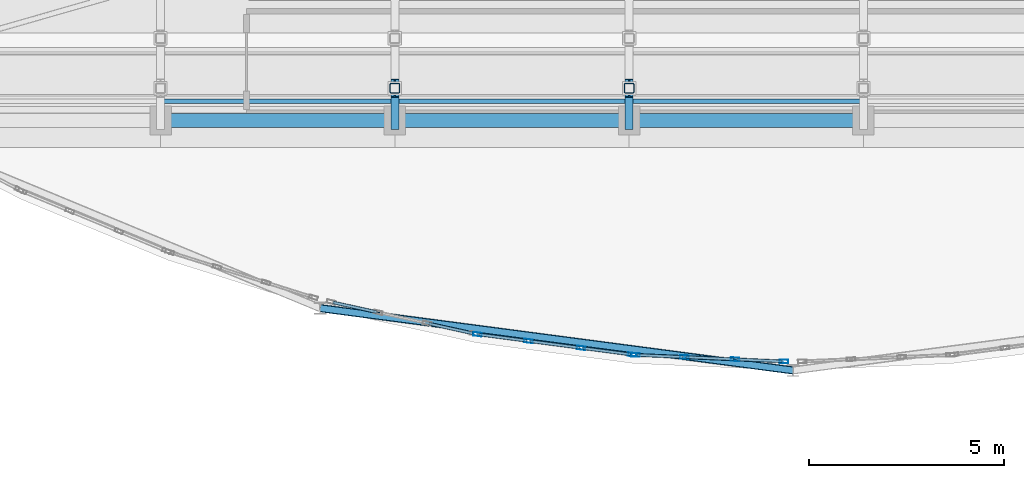
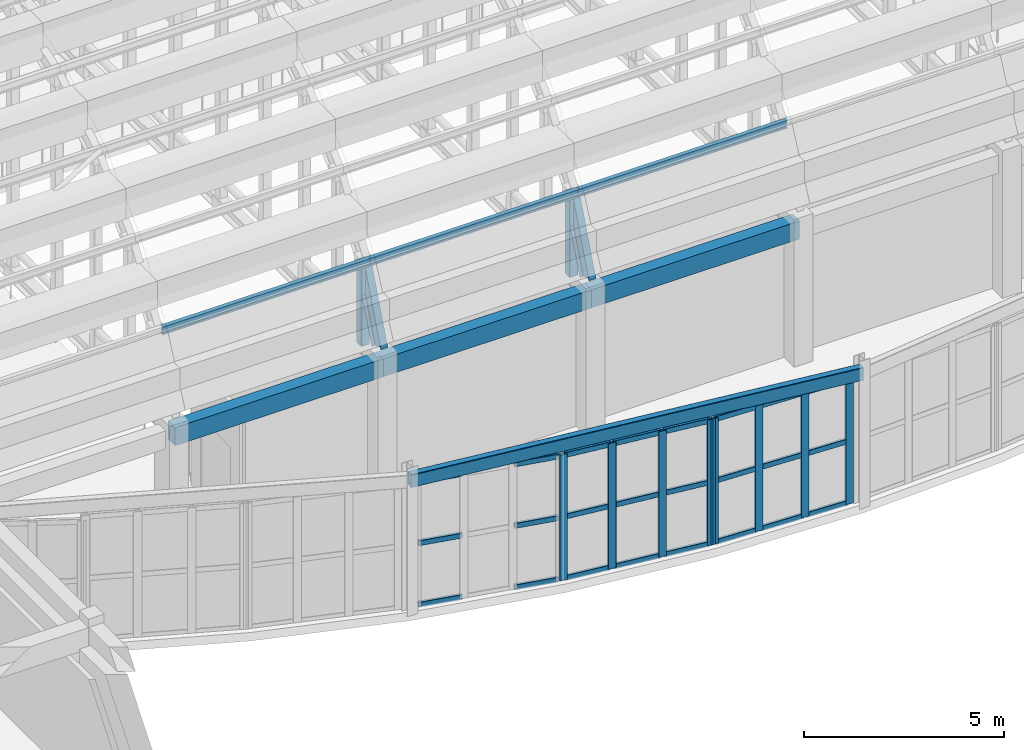
# One storey, part 7 of 91: 37 members, 6 beams, 3 elements without a shape of their own.
"""IFC4 building model written with IfcOpenShell, lengths in metres."""

from ifc_helpers import new_model, si_unit, direction, frame, origin, origin_2d, place, context, subcontext, project, spatial, rectangle, hollow_rectangle, i_section, extrude, material, layer, layer_set, material_profile, profile_set, type_object, element, aggregate, save


model = new_model("IFC4")

# Units and contexts
model_context = context("Model", 3, precision=1e-05, world=origin(), true_north=direction((0.0, 1.0)))
body_context = subcontext(model_context, "Body", "Model", "MODEL_VIEW")
ifc_project = project(units=[si_unit("LENGTHUNIT", "METRE"), si_unit("AREAUNIT", "SQUARE_METRE"), si_unit("VOLUMEUNIT", "CUBIC_METRE"), si_unit("PLANEANGLEUNIT", "RADIAN"), si_unit("MASSUNIT", "GRAM", prefix="KILO")], contexts=[model_context])

# Site, building, storey
site_placement = place(None, origin())
site = spatial("IfcSite", under=ifc_project, at=site_placement, CompositionType="ELEMENT")
building_placement = place(site_placement, origin())
building = spatial("IfcBuilding", under=site, at=building_placement, Name="Tarnavel Promenade Courthouse", CompositionType="ELEMENT")
storey_placement = place(building_placement, frame((0.0, 0.0, 9.89990234375)))
storey = spatial("IfcBuildingStorey", under=building, at=storey_placement, Name="L03", CompositionType="ELEMENT", Elevation=9.89990234375)

# Beams
ifc_material_1 = material(Name="Concrete C40/50", Category="concrete")
ifc_material_profile_1 = material_profile(ifc_material_1, rectangle(XDim=0.35009765625, YDim=0.550048828125, at=origin_2d()), Name="RC 350x550")
ifc_profile_set_1 = profile_set([ifc_material_profile_1], Name="Concrete C40/50")
beam_type_1 = type_object("IfcBeamType", Name="Concrete C40/50 BM-RC-350x550 (RC 350x550)", PredefinedType="BEAM", material=ifc_profile_set_1)
for number, where, z_axis, x_axis, name in (
    (1, (15.60009765625, 14.800048828125, 3.97021484375), (1.0, 0.0, 0.0), (0.0, 1.0, 0.0), "L03 Primary Longitudinal Beam 1534"),
    (2, (21.60009765625, 14.800048828125, 3.97021484375), (1.0, 0.0, 0.0), (0.0, 1.0, 0.0), "L03 Primary Longitudinal Beam 1535"),
    (3, (27.60009765625, 14.800048828125, 3.97021484375), (1.0, 0.0, 0.0), (0.0, 1.0, 0.0), "L03 Primary Longitudinal Beam 1536"),
):
    element("IfcBeam", number, at=place(storey_placement, frame(where, z_axis=z_axis, x_axis=x_axis)), inside=storey, type_object=beam_type_1, Name=name, PredefinedType="BEAM", context=body_context, shape_type="SweptSolid", body=[
        extrude(rectangle(XDim=0.35009765625, YDim=0.550048828125, at=origin_2d()), origin(), (0.0, 0.0, 1.0), 6.0),
    ])
ifc_material_2 = material(Name="Steel S355J2", Category="steel")
ifc_material_profile_2 = material_profile(ifc_material_2, i_section(OverallWidth=0.199951171875, OverallDepth=0.5, WebThickness=0.01025390625, FlangeThickness=0.01611328125, FilletRadius=0.02099609375, at=origin_2d()), Name="IPE 500")
ifc_profile_set_2 = profile_set([ifc_material_profile_2], Name="Steel S355J2")
beam_type_2 = type_object("IfcBeamType", Name="Steel S355J2 BM-AR-IPE500 (IPE 500)", PredefinedType="T_BEAM", material=ifc_profile_set_2)
for number, where, z_axis, x_axis, name in (
    (4, (21.60009765625, 14.800048828125, 4.5), (0.0, 0.359973594692, 0.93296249181), (-1.0, 0.0, 0.0), "V4 Barrel Vault Arch Rib 03 Chord 01"),
    (5, (27.60009765625, 14.800048828125, 4.5), (0.0, 0.359973594692, 0.93296249181), (-1.0, 0.0, 0.0), "V4 Barrel Vault Arch Rib 04 Chord 01"),
):
    element("IfcBeam", number, at=place(storey_placement, frame(where, z_axis=z_axis, x_axis=x_axis)), inside=storey, type_object=beam_type_2, Name=name, PredefinedType="T_BEAM", context=body_context, shape_type="SweptSolid", body=[
        extrude(i_section(OverallWidth=0.199951171875, OverallDepth=0.5, WebThickness=0.01025390625, FlangeThickness=0.01611328125, FilletRadius=0.02099609375, at=origin_2d()), origin(), (0.0, 0.0, 1.0), 2.302490234375),
    ])
ifc_material_profile_3 = material_profile(ifc_material_2, hollow_rectangle(XDim=0.199951171875, YDim=0.39990234375, WallThickness=0.01416015625, InnerFilletRadius=0.013916015625, OuterFilletRadius=0.028076171875, at=origin_2d()), Name="RHS 400x200x14.2")
ifc_profile_set_3 = profile_set([ifc_material_profile_3], Name="Steel S355J2")
beam_type_3 = type_object("IfcBeamType", Name="Steel S355J2 BM-ST-RHS400 (RHS 400x200x14.2)", PredefinedType="SPANDREL", material=ifc_profile_set_3)
beam_placement = place(storey_placement, frame((19.687255859375, 9.99462890625, 4.045166015625), z_axis=(0.991444362306, -0.13052998296, 0.0), x_axis=(0.13052998296, 0.991444362306, 0.0)))
element("IfcBeam", 6, at=beam_placement, inside=storey, type_object=beam_type_3, Name="L03 Public Drum Ring Beam 1977", PredefinedType="SPANDREL", context=body_context, shape_type="SweptSolid", body=[
    extrude(hollow_rectangle(XDim=0.199951171875, YDim=0.39990234375, WallThickness=0.01416015625, InnerFilletRadius=0.013916015625, OuterFilletRadius=0.028076171875, at=origin_2d()), origin(), (0.0, 0.0, 1.0), 12.21728515625),
])

# Members
ifc_material_profile_4 = material_profile(ifc_material_2, i_section(OverallWidth=0.1201171875, OverallDepth=0.239990234375, WebThickness=0.006103515625, FlangeThickness=0.009765625, FilletRadius=0.014892578125, at=origin_2d()), Name="IPE 240")
ifc_profile_set_4 = profile_set([ifc_material_profile_4], Name="Steel S355J2")
member_type_1 = type_object("IfcMemberType", Name="Steel S355J2 MEM-PUR-IPE240 (IPE 240)", PredefinedType="PURLIN", material=ifc_profile_set_4)
for number, where, z_axis, x_axis, name in (
    (7, (15.60009765625, 15.291259765625, 6.822998046875), (1.0, 0.0, 0.0), (0.0, 1.0, 0.0), "V4 Barrel Vault Purlin 02-01"),
    (8, (21.60009765625, 15.291259765625, 6.822998046875), (1.0, 0.0, 0.0), (0.0, 1.0, 0.0), "V4 Barrel Vault Purlin 03-01"),
    (9, (27.60009765625, 15.291259765625, 6.822998046875), (1.0, 0.0, 0.0), (0.0, 1.0, 0.0), "V4 Barrel Vault Purlin 04-01"),
):
    element("IfcMember", number, at=place(storey_placement, frame(where, z_axis=z_axis, x_axis=x_axis)), inside=storey, type_object=member_type_1, Name=name, PredefinedType="PURLIN", context=body_context, shape_type="SweptSolid", body=[
        extrude(i_section(OverallWidth=0.1201171875, OverallDepth=0.239990234375, WebThickness=0.006103515625, FlangeThickness=0.009765625, FilletRadius=0.014892578125, at=origin_2d()), origin(), (0.0, 0.0, 1.0), 6.0),
    ])
ifc_material_profile_5 = material_profile(ifc_material_2, hollow_rectangle(XDim=0.25, YDim=0.25, WallThickness=0.012451171875, InnerFilletRadius=0.012451171875, OuterFilletRadius=0.02490234375, at=origin_2d()), Name="SHS 250x250x12.5")
ifc_profile_set_5 = profile_set([ifc_material_profile_5], Name="Steel S355J2")
member_type_2 = type_object("IfcMemberType", Name="Steel S355J2 MEM-STR-SHS250 (SHS 250x250x12.5)", PredefinedType="STRUT", material=ifc_profile_set_5)
for number, where, z_axis, x_axis, name in (
    (10, (21.60009765625, 15.62890625, 4.1201171875), (0.0, 0.0, 1.0), (1.0, 0.0, 0.0), "V4 Vault Arch Web Strut 03-01"),
    (11, (27.60009765625, 15.62890625, 4.1201171875), (0.0, 0.0, 1.0), (1.0, 0.0, 0.0), "V4 Vault Arch Web Strut 04-01"),
):
    element("IfcMember", number, at=place(storey_placement, frame(where, z_axis=z_axis, x_axis=x_axis)), inside=storey, type_object=member_type_2, Name=name, PredefinedType="STRUT", context=body_context, shape_type="SweptSolid", body=[
        extrude(hollow_rectangle(XDim=0.25, YDim=0.25, WallThickness=0.012451171875, InnerFilletRadius=0.012451171875, OuterFilletRadius=0.02490234375, at=origin_2d()), origin(), (0.0, 0.0, 1.0), 2.528076171875),
    ])

# Curtain wall, members
ifc_material_3 = material(Name="Thermally Broken Anodised Aluminium Curtain Wall System", Category="aluminium")
ifc_layer = layer(ifc_material_3, 0.219970703125)
ifc_layer_set = layer_set([ifc_layer], Name="Thermally Broken Anodised Aluminium Curtain Wall System")
curtain_wall_type = type_object("IfcCurtainWallType", Name="Thermally Broken Aluminium Triple-Glazed Curtain Wall CW-DRUM", PredefinedType="NOTDEFINED", material=ifc_layer_set)
curtain_wall_1_placement = place(storey_placement, origin())
curtain_wall_1 = element("IfcCurtainWall", 12, at=curtain_wall_1_placement, inside=storey, type_object=curtain_wall_type, Name="L03 Public Hall Drum Curtain Wall 031", PredefinedType="NOTDEFINED")
ifc_material_4 = material(Name="Thermally Broken Anodised Aluminium Frame", Category="aluminium")
ifc_material_profile_6 = material_profile(ifc_material_4, hollow_rectangle(XDim=0.090087890625, YDim=0.219970703125, WallThickness=0.0048828125, InnerFilletRadius=0.0048828125, OuterFilletRadius=0.010009765625, at=origin_2d()), Name="CWM 220x90x5")
ifc_profile_set_6 = profile_set([ifc_material_profile_6], Name="Thermally Broken Anodised Aluminium Frame")
member_type_3 = type_object("IfcMemberType", Name="Thermally Broken Anodised Aluminium CWM-175 (CWM 220x90x5)", PredefinedType="MULLION", material=ifc_profile_set_6)
member_1_placement = place(storey_placement, frame((23.7177734375, 9.3251953125, 0.0), z_axis=(0.0, 0.0, 1.0), x_axis=(0.130526614558, 0.991444805772, 0.0)))
member_1 = element("IfcMember", 13, at=member_1_placement, type_object=member_type_3, Name="CW-01 mullion 1", PredefinedType="MULLION", context=body_context, shape_type="SweptSolid", body=[
    extrude(hollow_rectangle(XDim=0.090087890625, YDim=0.219970703125, WallThickness=0.0048828125, InnerFilletRadius=0.0048828125, OuterFilletRadius=0.010009765625, at=origin_2d()), origin(), (0.0, 0.0, 1.0), 3.830078125),
])
member_2_placement = place(storey_placement, frame((25.0224609375, 9.1533203125, 0.0), z_axis=(0.0, 0.0, 1.0), x_axis=(0.130526614558, 0.991444805772, 0.0)))
member_2 = element("IfcMember", 14, at=member_2_placement, type_object=member_type_3, Name="CW-01 mullion 2", PredefinedType="MULLION", context=body_context, shape_type="SweptSolid", body=[
    extrude(hollow_rectangle(XDim=0.090087890625, YDim=0.219970703125, WallThickness=0.0048828125, InnerFilletRadius=0.0048828125, OuterFilletRadius=0.010009765625, at=origin_2d()), origin(), (0.0, 0.0, 1.0), 3.830078125),
])
member_3_placement = place(storey_placement, frame((26.371826171875, 8.975830078125, 0.0), z_axis=(0.0, 0.0, 1.0), x_axis=(0.130526614558, 0.991444805772, 0.0)))
member_3 = element("IfcMember", 15, at=member_3_placement, type_object=member_type_3, Name="CW-01 mullion 3", PredefinedType="MULLION", context=body_context, shape_type="SweptSolid", body=[
    extrude(hollow_rectangle(XDim=0.090087890625, YDim=0.219970703125, WallThickness=0.0048828125, InnerFilletRadius=0.0048828125, OuterFilletRadius=0.010009765625, at=origin_2d()), origin(), (0.0, 0.0, 1.0), 3.830078125),
])
member_4_placement = place(storey_placement, frame((27.676513671875, 8.803955078125, 0.0), z_axis=(0.0, 0.0, 1.0), x_axis=(0.130526614558, 0.991444805772, 0.0)))
member_4 = element("IfcMember", 16, at=member_4_placement, type_object=member_type_3, Name="CW-01 mullion 4", PredefinedType="MULLION", context=body_context, shape_type="SweptSolid", body=[
    extrude(hollow_rectangle(XDim=0.090087890625, YDim=0.219970703125, WallThickness=0.0048828125, InnerFilletRadius=0.0048828125, OuterFilletRadius=0.010009765625, at=origin_2d()), origin(), (0.0, 0.0, 1.0), 3.830078125),
])

curtain_wall_2_placement = place(storey_placement, origin())
curtain_wall_2 = element("IfcCurtainWall", 17, at=curtain_wall_2_placement, inside=storey, type_object=curtain_wall_type, Name="L03 Public Hall Drum Curtain Wall 032", PredefinedType="NOTDEFINED")
member_5_placement = place(storey_placement, frame((27.76611328125, 8.796142578125, 0.0), z_axis=(0.0, 0.0, 1.0), x_axis=(0.04361861839, 0.999048255156, 0.0)))
member_5 = element("IfcMember", 18, at=member_5_placement, type_object=member_type_3, Name="CW-01 mullion 1", PredefinedType="MULLION", context=body_context, shape_type="SweptSolid", body=[
    extrude(hollow_rectangle(XDim=0.090087890625, YDim=0.219970703125, WallThickness=0.0048828125, InnerFilletRadius=0.0048828125, OuterFilletRadius=0.010009765625, at=origin_2d()), origin(), (0.0, 0.0, 1.0), 3.830078125),
])
member_6_placement = place(storey_placement, frame((29.017333984375, 8.741455078125, 0.0), z_axis=(0.0, 0.0, 1.0), x_axis=(0.04361861839, 0.999048255156, 0.0)))
member_6 = element("IfcMember", 19, at=member_6_placement, type_object=member_type_3, Name="CW-01 mullion 2", PredefinedType="MULLION", context=body_context, shape_type="SweptSolid", body=[
    extrude(hollow_rectangle(XDim=0.090087890625, YDim=0.219970703125, WallThickness=0.0048828125, InnerFilletRadius=0.0048828125, OuterFilletRadius=0.010009765625, at=origin_2d()), origin(), (0.0, 0.0, 1.0), 3.830078125),
])
member_7_placement = place(storey_placement, frame((30.3134765625, 8.684814453125, 0.0), z_axis=(0.0, 0.0, 1.0), x_axis=(0.04361861839, 0.999048255156, 0.0)))
member_7 = element("IfcMember", 20, at=member_7_placement, type_object=member_type_3, Name="CW-01 mullion 3", PredefinedType="MULLION", context=body_context, shape_type="SweptSolid", body=[
    extrude(hollow_rectangle(XDim=0.090087890625, YDim=0.219970703125, WallThickness=0.0048828125, InnerFilletRadius=0.0048828125, OuterFilletRadius=0.010009765625, at=origin_2d()), origin(), (0.0, 0.0, 1.0), 3.830078125),
])
member_8_placement = place(storey_placement, frame((31.56494140625, 8.63037109375, 0.0), z_axis=(0.0, 0.0, 1.0), x_axis=(0.04361861839, 0.999048255156, 0.0)))
member_8 = element("IfcMember", 21, at=member_8_placement, type_object=member_type_3, Name="CW-01 mullion 4", PredefinedType="MULLION", context=body_context, shape_type="SweptSolid", body=[
    extrude(hollow_rectangle(XDim=0.090087890625, YDim=0.219970703125, WallThickness=0.0048828125, InnerFilletRadius=0.0048828125, OuterFilletRadius=0.010009765625, at=origin_2d()), origin(), (0.0, 0.0, 1.0), 3.830078125),
])

curtain_wall_3_placement = place(storey_placement, origin())
curtain_wall_3 = element("IfcCurtainWall", 22, at=curtain_wall_3_placement, inside=storey, type_object=curtain_wall_type, Name="L03 Public Hall Drum Curtain Wall 030", PredefinedType="NOTDEFINED")
ifc_material_profile_7 = material_profile(ifc_material_4, hollow_rectangle(XDim=0.080078125, YDim=0.159912109375, WallThickness=0.0048828125, InnerFilletRadius=0.0048828125, OuterFilletRadius=0.010009765625, at=origin_2d()), Name="CWT 160x80x5")
ifc_profile_set_7 = profile_set([ifc_material_profile_7], Name="Thermally Broken Anodised Aluminium Frame")
member_type_4 = type_object("IfcMemberType", Name="Thermally Broken Anodised Aluminium CWT-145 (CWT 160x80x5)", PredefinedType="USERDEFINED", material=ifc_profile_set_7)
member_9_placement = place(storey_placement, frame((20.016845703125, 10.1416015625, 0.0400390625), z_axis=(0.976287421137, -0.216478339172, 0.0), x_axis=(0.216478339172, 0.976287421137, 0.0)))
member_9 = element("IfcMember", 23, at=member_9_placement, type_object=member_type_4, Name="CW-01 transom 1.1", ObjectType="TRANSOM", PredefinedType="USERDEFINED", context=body_context, shape_type="SweptSolid", body=[
    extrude(hollow_rectangle(XDim=0.080078125, YDim=0.159912109375, WallThickness=0.0048828125, InnerFilletRadius=0.0048828125, OuterFilletRadius=0.010009765625, at=origin_2d()), origin(), (0.0, 0.0, 1.0), 1.1435546875),
])
member_10_placement = place(storey_placement, frame((20.016845703125, 10.1416015625, 1.9150390625), z_axis=(0.976287421137, -0.216478339172, 0.0), x_axis=(0.216478339172, 0.976287421137, 0.0)))
member_10 = element("IfcMember", 24, at=member_10_placement, type_object=member_type_4, Name="CW-01 transom 1.2", ObjectType="TRANSOM", PredefinedType="USERDEFINED", context=body_context, shape_type="SweptSolid", body=[
    extrude(hollow_rectangle(XDim=0.080078125, YDim=0.159912109375, WallThickness=0.0048828125, InnerFilletRadius=0.0048828125, OuterFilletRadius=0.010009765625, at=origin_2d()), origin(), (0.0, 0.0, 1.0), 1.1435546875),
])
member_11_placement = place(storey_placement, frame((20.016845703125, 10.1416015625, 3.7900390625), z_axis=(0.976287421137, -0.216478339172, 0.0), x_axis=(0.216478339172, 0.976287421137, 0.0)))
member_11 = element("IfcMember", 25, at=member_11_placement, type_object=member_type_4, Name="CW-01 transom 1.3", ObjectType="TRANSOM", PredefinedType="USERDEFINED", context=body_context, shape_type="SweptSolid", body=[
    extrude(hollow_rectangle(XDim=0.080078125, YDim=0.159912109375, WallThickness=0.0048828125, InnerFilletRadius=0.0048828125, OuterFilletRadius=0.010009765625, at=origin_2d()), origin(), (0.0, 0.0, 1.0), 1.1435546875),
])
member_12_placement = place(storey_placement, frame((22.46923828125, 9.597900390625, 0.0400390625), z_axis=(0.976322532452, -0.216319931184, 0.0), x_axis=(0.216319931184, 0.976322532452, 0.0)))
member_12 = element("IfcMember", 26, at=member_12_placement, type_object=member_type_4, Name="CW-01 transom 3.1", ObjectType="TRANSOM", PredefinedType="USERDEFINED", context=body_context, shape_type="SweptSolid", body=[
    extrude(hollow_rectangle(XDim=0.080078125, YDim=0.159912109375, WallThickness=0.0048828125, InnerFilletRadius=0.0048828125, OuterFilletRadius=0.010009765625, at=origin_2d()), origin(), (0.0, 0.0, 1.0), 1.143310546875),
])
member_13_placement = place(storey_placement, frame((22.46923828125, 9.597900390625, 1.9150390625), z_axis=(0.976322532452, -0.216319931184, 0.0), x_axis=(0.216319931184, 0.976322532452, 0.0)))
member_13 = element("IfcMember", 27, at=member_13_placement, type_object=member_type_4, Name="CW-01 transom 3.2", ObjectType="TRANSOM", PredefinedType="USERDEFINED", context=body_context, shape_type="SweptSolid", body=[
    extrude(hollow_rectangle(XDim=0.080078125, YDim=0.159912109375, WallThickness=0.0048828125, InnerFilletRadius=0.0048828125, OuterFilletRadius=0.010009765625, at=origin_2d()), origin(), (0.0, 0.0, 1.0), 1.143310546875),
])
member_14_placement = place(storey_placement, frame((22.46923828125, 9.597900390625, 3.7900390625), z_axis=(0.976322532452, -0.216319931184, 0.0), x_axis=(0.216319931184, 0.976322532452, 0.0)))
member_14 = element("IfcMember", 28, at=member_14_placement, type_object=member_type_4, Name="CW-01 transom 3.3", ObjectType="TRANSOM", PredefinedType="USERDEFINED", context=body_context, shape_type="SweptSolid", body=[
    extrude(hollow_rectangle(XDim=0.080078125, YDim=0.159912109375, WallThickness=0.0048828125, InnerFilletRadius=0.0048828125, OuterFilletRadius=0.010009765625, at=origin_2d()), origin(), (0.0, 0.0, 1.0), 1.143310546875),
])
aggregate(curtain_wall_3, [member_9, member_10, member_11, member_12, member_13, member_14])

# Member
member_15_placement = place(storey_placement, frame((23.762451171875, 9.3193359375, 0.0400390625), z_axis=(0.99143191525, -0.130624490139, 0.0), x_axis=(0.130624490139, 0.99143191525, 0.0)))
member_15 = element("IfcMember", 29, at=member_15_placement, type_object=member_type_4, Name="CW-01 transom 1.1", ObjectType="TRANSOM", PredefinedType="USERDEFINED", context=body_context, shape_type="SweptSolid", body=[
    extrude(hollow_rectangle(XDim=0.080078125, YDim=0.159912109375, WallThickness=0.0048828125, InnerFilletRadius=0.0048828125, OuterFilletRadius=0.010009765625, at=origin_2d()), origin(), (0.0, 0.0, 1.0), 1.22607421875),
])

member_16_placement = place(storey_placement, frame((23.762451171875, 9.3193359375, 1.9150390625), z_axis=(0.99143191525, -0.130624490139, 0.0), x_axis=(0.130624490139, 0.99143191525, 0.0)))
member_16 = element("IfcMember", 30, at=member_16_placement, type_object=member_type_4, Name="CW-01 transom 1.2", ObjectType="TRANSOM", PredefinedType="USERDEFINED", context=body_context, shape_type="SweptSolid", body=[
    extrude(hollow_rectangle(XDim=0.080078125, YDim=0.159912109375, WallThickness=0.0048828125, InnerFilletRadius=0.0048828125, OuterFilletRadius=0.010009765625, at=origin_2d()), origin(), (0.0, 0.0, 1.0), 1.22607421875),
])

member_17_placement = place(storey_placement, frame((23.762451171875, 9.3193359375, 3.7900390625), z_axis=(0.99143191525, -0.130624490139, 0.0), x_axis=(0.130624490139, 0.99143191525, 0.0)))
member_17 = element("IfcMember", 31, at=member_17_placement, type_object=member_type_4, Name="CW-01 transom 1.3", ObjectType="TRANSOM", PredefinedType="USERDEFINED", context=body_context, shape_type="SweptSolid", body=[
    extrude(hollow_rectangle(XDim=0.080078125, YDim=0.159912109375, WallThickness=0.0048828125, InnerFilletRadius=0.0048828125, OuterFilletRadius=0.010009765625, at=origin_2d()), origin(), (0.0, 0.0, 1.0), 1.22607421875),
])

member_18_placement = place(storey_placement, frame((25.067138671875, 9.1474609375, 0.0400390625), z_axis=(0.991456257025, -0.130439604441, 0.0), x_axis=(0.130439604441, 0.991456257025, 0.0)))
member_18 = element("IfcMember", 32, at=member_18_placement, type_object=member_type_4, Name="CW-01 transom 2.1", ObjectType="TRANSOM", PredefinedType="USERDEFINED", context=body_context, shape_type="SweptSolid", body=[
    extrude(hollow_rectangle(XDim=0.080078125, YDim=0.159912109375, WallThickness=0.0048828125, InnerFilletRadius=0.0048828125, OuterFilletRadius=0.010009765625, at=origin_2d()), origin(), (0.0, 0.0, 1.0), 1.270751953125),
])

member_19_placement = place(storey_placement, frame((25.067138671875, 9.1474609375, 1.9150390625), z_axis=(0.991456257025, -0.130439604441, 0.0), x_axis=(0.130439604441, 0.991456257025, 0.0)))
member_19 = element("IfcMember", 33, at=member_19_placement, type_object=member_type_4, Name="CW-01 transom 2.2", ObjectType="TRANSOM", PredefinedType="USERDEFINED", context=body_context, shape_type="SweptSolid", body=[
    extrude(hollow_rectangle(XDim=0.080078125, YDim=0.159912109375, WallThickness=0.0048828125, InnerFilletRadius=0.0048828125, OuterFilletRadius=0.010009765625, at=origin_2d()), origin(), (0.0, 0.0, 1.0), 1.270751953125),
])

member_20_placement = place(storey_placement, frame((25.067138671875, 9.1474609375, 3.7900390625), z_axis=(0.991456257025, -0.130439604441, 0.0), x_axis=(0.130439604441, 0.991456257025, 0.0)))
member_20 = element("IfcMember", 34, at=member_20_placement, type_object=member_type_4, Name="CW-01 transom 2.3", ObjectType="TRANSOM", PredefinedType="USERDEFINED", context=body_context, shape_type="SweptSolid", body=[
    extrude(hollow_rectangle(XDim=0.080078125, YDim=0.159912109375, WallThickness=0.0048828125, InnerFilletRadius=0.0048828125, OuterFilletRadius=0.010009765625, at=origin_2d()), origin(), (0.0, 0.0, 1.0), 1.270751953125),
])

member_21_placement = place(storey_placement, frame((26.41650390625, 8.969970703125, 0.0400390625), z_axis=(0.991428516661, -0.13065028263, 0.0), x_axis=(0.13065028263, 0.991428516661, 0.0)))
member_21 = element("IfcMember", 35, at=member_21_placement, type_object=member_type_4, Name="CW-01 transom 3.1", ObjectType="TRANSOM", PredefinedType="USERDEFINED", context=body_context, shape_type="SweptSolid", body=[
    extrude(hollow_rectangle(XDim=0.080078125, YDim=0.159912109375, WallThickness=0.0048828125, InnerFilletRadius=0.0048828125, OuterFilletRadius=0.010009765625, at=origin_2d()), origin(), (0.0, 0.0, 1.0), 1.225830078125),
])

member_22_placement = place(storey_placement, frame((26.41650390625, 8.969970703125, 1.9150390625), z_axis=(0.991428516661, -0.13065028263, 0.0), x_axis=(0.13065028263, 0.991428516661, 0.0)))
member_22 = element("IfcMember", 36, at=member_22_placement, type_object=member_type_4, Name="CW-01 transom 3.2", ObjectType="TRANSOM", PredefinedType="USERDEFINED", context=body_context, shape_type="SweptSolid", body=[
    extrude(hollow_rectangle(XDim=0.080078125, YDim=0.159912109375, WallThickness=0.0048828125, InnerFilletRadius=0.0048828125, OuterFilletRadius=0.010009765625, at=origin_2d()), origin(), (0.0, 0.0, 1.0), 1.225830078125),
])

member_23_placement = place(storey_placement, frame((26.41650390625, 8.969970703125, 3.7900390625), z_axis=(0.991428516661, -0.13065028263, 0.0), x_axis=(0.13065028263, 0.991428516661, 0.0)))
member_23 = element("IfcMember", 37, at=member_23_placement, type_object=member_type_4, Name="CW-01 transom 3.3", ObjectType="TRANSOM", PredefinedType="USERDEFINED", context=body_context, shape_type="SweptSolid", body=[
    extrude(hollow_rectangle(XDim=0.080078125, YDim=0.159912109375, WallThickness=0.0048828125, InnerFilletRadius=0.0048828125, OuterFilletRadius=0.010009765625, at=origin_2d()), origin(), (0.0, 0.0, 1.0), 1.225830078125),
])

aggregate(curtain_wall_1, [member_1, member_2, member_3, member_4, member_15, member_16, member_17, member_18, member_19, member_20, member_21, member_22, member_23])

member_24_placement = place(storey_placement, frame((27.81103515625, 8.794189453125, 0.0400390625), z_axis=(0.999045429129, -0.043683298141, 0.0), x_axis=(0.043683298141, 0.999045429129, 0.0)))
member_24 = element("IfcMember", 38, at=member_24_placement, type_object=member_type_4, Name="CW-01 transom 1.1", ObjectType="TRANSOM", PredefinedType="USERDEFINED", context=body_context, shape_type="SweptSolid", body=[
    extrude(hollow_rectangle(XDim=0.080078125, YDim=0.159912109375, WallThickness=0.0048828125, InnerFilletRadius=0.0048828125, OuterFilletRadius=0.010009765625, at=origin_2d()), origin(), (0.0, 0.0, 1.0), 1.16259765625),
])

member_25_placement = place(storey_placement, frame((27.81103515625, 8.794189453125, 1.9150390625), z_axis=(0.999045429129, -0.043683298141, 0.0), x_axis=(0.043683298141, 0.999045429129, 0.0)))
member_25 = element("IfcMember", 39, at=member_25_placement, type_object=member_type_4, Name="CW-01 transom 1.2", ObjectType="TRANSOM", PredefinedType="USERDEFINED", context=body_context, shape_type="SweptSolid", body=[
    extrude(hollow_rectangle(XDim=0.080078125, YDim=0.159912109375, WallThickness=0.0048828125, InnerFilletRadius=0.0048828125, OuterFilletRadius=0.010009765625, at=origin_2d()), origin(), (0.0, 0.0, 1.0), 1.16259765625),
])

member_26_placement = place(storey_placement, frame((27.81103515625, 8.794189453125, 3.7900390625), z_axis=(0.999045429129, -0.043683298141, 0.0), x_axis=(0.043683298141, 0.999045429129, 0.0)))
member_26 = element("IfcMember", 40, at=member_26_placement, type_object=member_type_4, Name="CW-01 transom 1.3", ObjectType="TRANSOM", PredefinedType="USERDEFINED", context=body_context, shape_type="SweptSolid", body=[
    extrude(hollow_rectangle(XDim=0.080078125, YDim=0.159912109375, WallThickness=0.0048828125, InnerFilletRadius=0.0048828125, OuterFilletRadius=0.010009765625, at=origin_2d()), origin(), (0.0, 0.0, 1.0), 1.16259765625),
])

member_27_placement = place(storey_placement, frame((29.062255859375, 8.739501953125, 0.0400390625), z_axis=(0.999045829762, -0.043674134634, 0.0), x_axis=(0.043674134634, 0.999045829762, 0.0)))
member_27 = element("IfcMember", 41, at=member_27_placement, type_object=member_type_4, Name="CW-01 transom 2.1", ObjectType="TRANSOM", PredefinedType="USERDEFINED", context=body_context, shape_type="SweptSolid", body=[
    extrude(hollow_rectangle(XDim=0.080078125, YDim=0.159912109375, WallThickness=0.0048828125, InnerFilletRadius=0.0048828125, OuterFilletRadius=0.010009765625, at=origin_2d()), origin(), (0.0, 0.0, 1.0), 1.20751953125),
])

member_28_placement = place(storey_placement, frame((29.062255859375, 8.739501953125, 1.9150390625), z_axis=(0.999045829762, -0.043674134634, 0.0), x_axis=(0.043674134634, 0.999045829762, 0.0)))
member_28 = element("IfcMember", 42, at=member_28_placement, type_object=member_type_4, Name="CW-01 transom 2.2", ObjectType="TRANSOM", PredefinedType="USERDEFINED", context=body_context, shape_type="SweptSolid", body=[
    extrude(hollow_rectangle(XDim=0.080078125, YDim=0.159912109375, WallThickness=0.0048828125, InnerFilletRadius=0.0048828125, OuterFilletRadius=0.010009765625, at=origin_2d()), origin(), (0.0, 0.0, 1.0), 1.20751953125),
])

member_29_placement = place(storey_placement, frame((29.062255859375, 8.739501953125, 3.7900390625), z_axis=(0.999045829762, -0.043674134634, 0.0), x_axis=(0.043674134634, 0.999045829762, 0.0)))
member_29 = element("IfcMember", 43, at=member_29_placement, type_object=member_type_4, Name="CW-01 transom 2.3", ObjectType="TRANSOM", PredefinedType="USERDEFINED", context=body_context, shape_type="SweptSolid", body=[
    extrude(hollow_rectangle(XDim=0.080078125, YDim=0.159912109375, WallThickness=0.0048828125, InnerFilletRadius=0.0048828125, OuterFilletRadius=0.010009765625, at=origin_2d()), origin(), (0.0, 0.0, 1.0), 1.20751953125),
])

member_30_placement = place(storey_placement, frame((30.3583984375, 8.682861328125, 0.0400390625), z_axis=(0.99905457265, -0.043473680164, 0.0), x_axis=(0.043473680164, 0.99905457265, 0.0)))
member_30 = element("IfcMember", 44, at=member_30_placement, type_object=member_type_4, Name="CW-01 transom 3.1", ObjectType="TRANSOM", PredefinedType="USERDEFINED", context=body_context, shape_type="SweptSolid", body=[
    extrude(hollow_rectangle(XDim=0.080078125, YDim=0.159912109375, WallThickness=0.0048828125, InnerFilletRadius=0.0048828125, OuterFilletRadius=0.010009765625, at=origin_2d()), origin(), (0.0, 0.0, 1.0), 1.16259765625),
])

member_31_placement = place(storey_placement, frame((30.3583984375, 8.682861328125, 1.9150390625), z_axis=(0.99905457265, -0.043473680164, 0.0), x_axis=(0.043473680164, 0.99905457265, 0.0)))
member_31 = element("IfcMember", 45, at=member_31_placement, type_object=member_type_4, Name="CW-01 transom 3.2", ObjectType="TRANSOM", PredefinedType="USERDEFINED", context=body_context, shape_type="SweptSolid", body=[
    extrude(hollow_rectangle(XDim=0.080078125, YDim=0.159912109375, WallThickness=0.0048828125, InnerFilletRadius=0.0048828125, OuterFilletRadius=0.010009765625, at=origin_2d()), origin(), (0.0, 0.0, 1.0), 1.16259765625),
])

member_32_placement = place(storey_placement, frame((30.3583984375, 8.682861328125, 3.7900390625), z_axis=(0.99905457265, -0.043473680164, 0.0), x_axis=(0.043473680164, 0.99905457265, 0.0)))
member_32 = element("IfcMember", 46, at=member_32_placement, type_object=member_type_4, Name="CW-01 transom 3.3", ObjectType="TRANSOM", PredefinedType="USERDEFINED", context=body_context, shape_type="SweptSolid", body=[
    extrude(hollow_rectangle(XDim=0.080078125, YDim=0.159912109375, WallThickness=0.0048828125, InnerFilletRadius=0.0048828125, OuterFilletRadius=0.010009765625, at=origin_2d()), origin(), (0.0, 0.0, 1.0), 1.16259765625),
])

aggregate(curtain_wall_2, [member_5, member_6, member_7, member_8, member_24, member_25, member_26, member_27, member_28, member_29, member_30, member_31, member_32])

save(model, "model.ifc")
